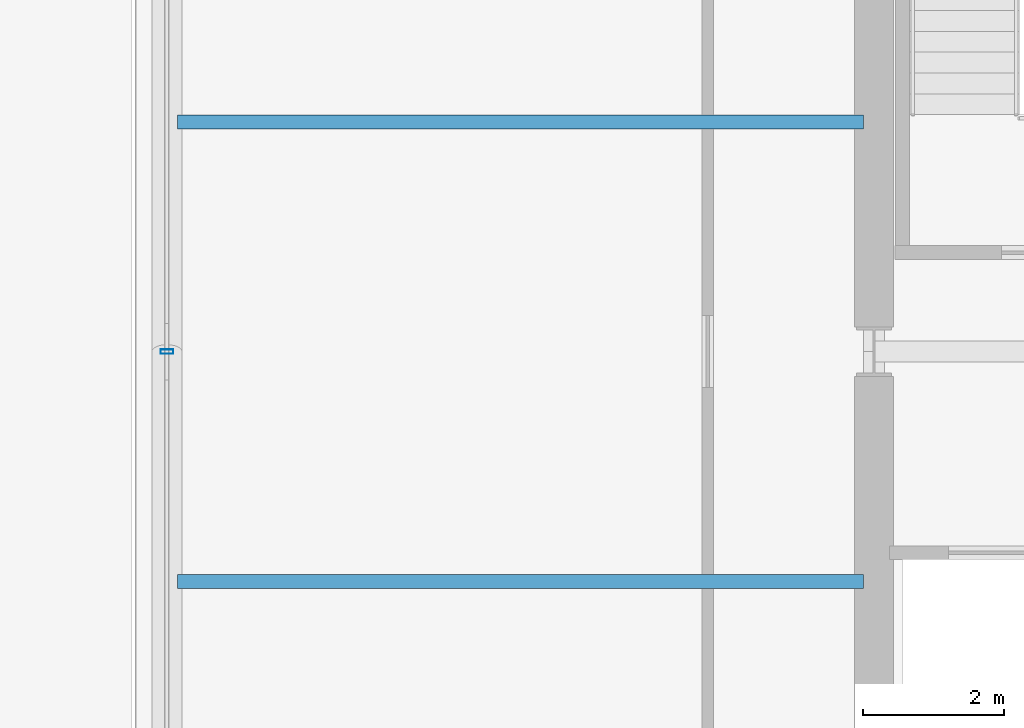
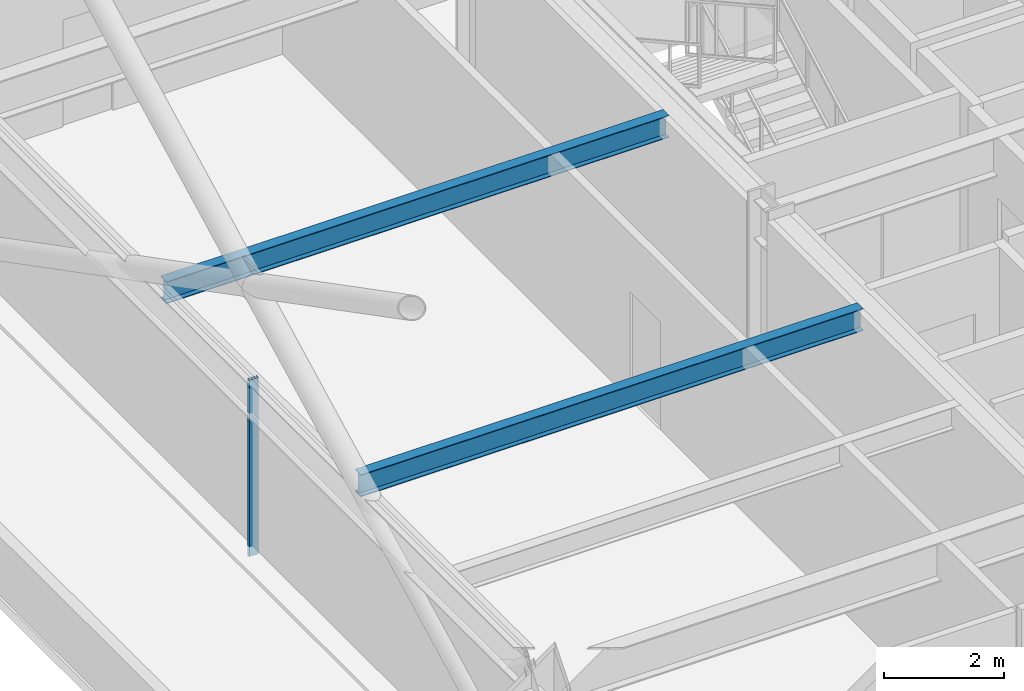
# One storey, part 8 of 33: 2 beams, 1 member, 1 element without a shape of its own.
"""IFC4 building model written with IfcOpenShell, lengths in metres."""

import ifcopenshell
import ifcopenshell.guid

model = None  # the IFC model being written
_history = None  # IfcOwnerHistory: only IFC2X3 demands one
_inside = {}  # id of a spatial element -> (the spatial element, [elements in it])
_under = {}  # id of a project, library or spatial element -> (it, [spatial elements below it])
_declared = {}  # id of a project -> (the project, [libraries it declares])
_typed = {}  # id of a type object -> (the type object, [elements of that type])
_made_of = {}  # id of a material, layer set ... -> (it, [elements and type objects made of it])


def new_model(schema):
    """Start an empty IFC model of exactly this schema.

    Asked for "IFC4X3", IfcOpenShell would pick the latest addendum, in which some entities
    have other attributes; the version numbers below select the first issue.
    IFC2X3 requires an IfcOwnerHistory on every rooted entity: one is made here for all.
    """
    global model, _history
    if schema == "IFC4X3":
        model = ifcopenshell.file(schema_version=(4, 3, 0, 0))
    else:
        model = ifcopenshell.file(schema=schema)
    _inside.clear()
    _under.clear()
    _declared.clear()
    _typed.clear()
    _made_of.clear()
    _history = None
    if model.schema == "IFC2X3":
        org = make("IfcOrganization", Name="unknown")
        user = make(
            "IfcPersonAndOrganization",
            ThePerson=make("IfcPerson", FamilyName="unknown"),
            TheOrganization=org,
        )
        app = make(
            "IfcApplication",
            ApplicationDeveloper=org,
            Version="unknown",
            ApplicationFullName="unknown",
            ApplicationIdentifier="unknown",
        )
        _history = make(
            "IfcOwnerHistory",
            OwningUser=user,
            OwningApplication=app,
            ChangeAction="ADDED",
            CreationDate=0,
        )
    return model


def make(cls, **values):
    """One entity of the class cls with the attributes given. An attribute that is None is left unset."""
    return model.create_entity(
        cls, **{name: value for name, value in values.items() if value is not None}
    )


def rooted(cls, **values):
    """An entity with a GlobalId (a new one), such as an element, a storey or a relation."""
    return make(cls, GlobalId=ifcopenshell.guid.new(), OwnerHistory=_history, **values)


def si_unit(unit_type, name, prefix=None):
    """IfcSIUnit, for example si_unit("LENGTHUNIT", "METRE", prefix="MILLI")."""
    return make("IfcSIUnit", UnitType=unit_type, Prefix=prefix, Name=name)


def assignment(units):
    """IfcUnitAssignment: the units of a project."""
    return None if units is None else make("IfcUnitAssignment", Units=units)


def point(xyz):
    """IfcCartesianPoint."""
    return None if xyz is None else make("IfcCartesianPoint", Coordinates=xyz)


def direction(xyz):
    """IfcDirection."""
    return None if xyz is None else make("IfcDirection", DirectionRatios=xyz)


def frame(location, z_axis=None, x_axis=None):
    """IfcAxis2Placement3D, a coordinate frame: its origin and axes. An axis left out is left unset."""
    return make(
        "IfcAxis2Placement3D",
        Location=point(location),
        Axis=direction(z_axis),
        RefDirection=direction(x_axis),
    )


def frame_2d(location, x_axis=None):
    """IfcAxis2Placement2D, a coordinate frame in the plane: its origin and x axis."""
    return make(
        "IfcAxis2Placement2D", Location=point(location), RefDirection=direction(x_axis)
    )


def origin():
    """The frame at (0, 0, 0) with its axes left unset."""
    return frame((0.0, 0.0, 0.0))


def origin_2d():
    """The frame at (0, 0) in the plane with its x axis left unset."""
    return frame_2d((0.0, 0.0))


def place(relative_to, where):
    """IfcLocalPlacement: puts the frame where relative to a parent placement (None: the world)."""
    return make(
        "IfcLocalPlacement", PlacementRelTo=relative_to, RelativePlacement=where
    )


def context(
    kind, dimensions, precision=None, world=None, true_north=None, identifier=None
):
    """IfcGeometricRepresentationContext, for example the 3D "Model" context."""
    return make(
        "IfcGeometricRepresentationContext",
        ContextIdentifier=identifier,
        ContextType=kind,
        CoordinateSpaceDimension=dimensions,
        Precision=precision,
        WorldCoordinateSystem=world,
        TrueNorth=true_north,
    )


def subcontext(parent, identifier, kind, view, scale=None):
    """IfcGeometricRepresentationSubContext, for example "Body" below "Model"."""
    return make(
        "IfcGeometricRepresentationSubContext",
        ContextIdentifier=identifier,
        ContextType=kind,
        ParentContext=parent,
        TargetScale=scale,
        TargetView=view,
    )


def project(units=None, contexts=None):
    """IfcProject with its units and contexts."""
    return rooted(
        "IfcProject",
        Name="project",
        RepresentationContexts=contexts,
        UnitsInContext=assignment(units),
    )


def spatial(cls, under=None, at=None, **own):
    """A site, building, storey or space (cls), placed at a placement, below another one or the project."""
    s = rooted(cls, ObjectPlacement=at, **own)
    if under is not None:
        _under.setdefault(under.id(), (under, []))[1].append(s)
    return s


def profile(cls, at=None, kind="AREA", **sizes):
    """A parametric profile (cls). Its sizes go by their IFC names, for example OverallWidth=200.0."""
    return make(cls, ProfileType=kind, Position=at, **sizes)


def hollow_rectangle(**sizes):
    """IfcRectangleHollowProfileDef."""
    return profile("IfcRectangleHollowProfileDef", **sizes)


def i_section(**sizes):
    """IfcIShapeProfileDef."""
    return profile("IfcIShapeProfileDef", **sizes)


def extrude(swept, where, along, depth):
    """IfcExtrudedAreaSolid: the profile swept, set in the frame where, extruded along a direction by depth."""
    return make(
        "IfcExtrudedAreaSolid",
        SweptArea=swept,
        Position=where,
        ExtrudedDirection=direction(along),
        Depth=depth,
    )


def shape(context_of_items, identifier, shape_type, items):
    """IfcShapeRepresentation: the items that make up one representation, for example the "Body"."""
    return make(
        "IfcShapeRepresentation",
        ContextOfItems=context_of_items,
        RepresentationIdentifier=identifier,
        RepresentationType=shape_type,
        Items=items,
    )


def material(Name=None, Category=None):
    """IfcMaterial."""
    return make("IfcMaterial", Name=Name, Category=Category)


def layer(
    of_material, thickness, ventilated=None, Name=None, Category=None, Priority=None
):
    """IfcMaterialLayer: one layer of a wall or slab, of a material (None: an air gap)."""
    return make(
        "IfcMaterialLayer",
        Material=of_material,
        LayerThickness=thickness,
        IsVentilated=ventilated,
        Name=Name,
        Category=Category,
        Priority=Priority,
    )


def layer_set(layers, Name=None):
    """IfcMaterialLayerSet."""
    return make("IfcMaterialLayerSet", MaterialLayers=layers, LayerSetName=Name)


def material_profile(
    of_material, cross_section, Name=None, Category=None, Priority=None
):
    """IfcMaterialProfile: a cross section and its material."""
    return make(
        "IfcMaterialProfile",
        Name=Name,
        Material=of_material,
        Profile=cross_section,
        Priority=Priority,
        Category=Category,
    )


def profile_set(profiles, Name=None, composite=None):
    """IfcMaterialProfileSet."""
    return make(
        "IfcMaterialProfileSet",
        Name=Name,
        MaterialProfiles=profiles,
        CompositeProfile=composite,
    )


def made_of(thing, what):
    """Note that an element or type object is made of a material, layer set ...; save() writes the relation."""
    if what is not None:
        _made_of.setdefault(what.id(), (what, []))[1].append(thing)
    return thing


def type_object(cls, material=None, **own):
    """A type object (cls), such as IfcWallType, which elements share."""
    return made_of(rooted(cls, **own), material)


def element(
    cls,
    number,
    at=None,
    inside=None,
    cuts=None,
    type_object=None,
    material=None,
    context=None,
    identifier="Body",
    shape_type=None,
    held_by="IfcProductDefinitionShape",
    body=None,
    shapes=None,
    **own,
):
    """One element of the class cls, such as IfcWall. Its Tag is "e" and its number.

    at: its placement. inside: the storey or other place that contains it. cuts: it is an
    opening in that element (IfcRelVoidsElement). A single representation is given by context,
    identifier, shape_type and body (its items); several are given by shapes. held_by: the class
    of the entity that holds the representations. save() writes the other relations.
    """
    e = rooted(cls, Tag="e%d" % number, ObjectPlacement=at, **own)
    if body is not None:
        shapes = [shape(context, identifier, shape_type, body)]
    if shapes is not None:
        e.Representation = make(held_by, Representations=shapes)
    if inside is not None:
        _inside.setdefault(inside.id(), (inside, []))[1].append(e)
    if cuts is not None:
        rooted(
            "IfcRelVoidsElement", RelatingBuildingElement=cuts, RelatedOpeningElement=e
        )
    if type_object is not None:
        _typed.setdefault(type_object.id(), (type_object, []))[1].append(e)
    return made_of(e, material)


def aggregate(whole, parts):
    """IfcRelAggregates: a whole, such as a stair, and the parts it consists of."""
    return rooted("IfcRelAggregates", RelatingObject=whole, RelatedObjects=parts)


def save(model, path):
    """Write the relations noted so far, then the file.

    IfcRelAggregates (storeys below a building ...), IfcRelContainedInSpatialStructure (elements
    in a storey), IfcRelDefinesByType, IfcRelAssociatesMaterial and IfcRelDeclares: one each for
    every whole, place, type object, material and project.
    """
    for whole, parts in _under.values():
        aggregate(whole, parts)
    for where, things in _inside.values():
        rooted(
            "IfcRelContainedInSpatialStructure",
            RelatedElements=things,
            RelatingStructure=where,
        )
    for kind, things in _typed.values():
        rooted("IfcRelDefinesByType", RelatedObjects=things, RelatingType=kind)
    for what, things in _made_of.values():
        rooted("IfcRelAssociatesMaterial", RelatedObjects=things, RelatingMaterial=what)
    for by, libraries in _declared.values():
        rooted("IfcRelDeclares", RelatingContext=by, RelatedDefinitions=libraries)
    model.write(path)


model = new_model("IFC4")

# Units and contexts
model_context = context("Model", 3, precision=1e-05, world=origin(), true_north=direction((0.0, 1.0)))
body_context = subcontext(model_context, "Body", "Model", "MODEL_VIEW")
ifc_project = project(units=[si_unit("LENGTHUNIT", "METRE"), si_unit("AREAUNIT", "SQUARE_METRE"), si_unit("VOLUMEUNIT", "CUBIC_METRE"), si_unit("PLANEANGLEUNIT", "RADIAN"), si_unit("MASSUNIT", "GRAM", prefix="KILO")], contexts=[model_context])

# Site, building, storey
site_placement = place(None, origin())
site = spatial("IfcSite", under=ifc_project, at=site_placement, CompositionType="ELEMENT")
building_placement = place(site_placement, origin())
building = spatial("IfcBuilding", under=site, at=building_placement, Name="Brelmoor Portico Tower", CompositionType="ELEMENT")
storey_placement = place(building_placement, frame((0.0, 0.0, 24.0)))
storey = spatial("IfcBuildingStorey", under=building, at=storey_placement, Name="L05", CompositionType="ELEMENT", Elevation=24.0)

# Beams
ifc_material_1 = material(Name="Steel Q355B", Category="steel")
ifc_material_profile_1 = material_profile(ifc_material_1, i_section(OverallWidth=0.199951171875, OverallDepth=0.449951171875, WebThickness=0.009033203125, FlangeThickness=0.013916015625, at=origin_2d()), Name="HN 450x200x9x14")
ifc_profile_set_1 = profile_set([ifc_material_profile_1], Name="Steel Q355B")
beam_type = type_object("IfcBeamType", Name="BM-JS-450", PredefinedType="JOIST", material=ifc_profile_set_1)
for number, where, z_axis, x_axis, name in (
    (1, (-24.39990234375, -3.25, 3.175048828125), (1.0, 0.0, 0.0), (0.0, 1.0, 0.0), "L05 Secondary Wing Joist JS-W06"),
    (2, (-24.39990234375, 3.25, 3.175048828125), (1.0, 0.0, 0.0), (0.0, 1.0, 0.0), "L05 Secondary Wing Joist JS-W07"),
):
    element("IfcBeam", number, at=place(storey_placement, frame(where, z_axis=z_axis, x_axis=x_axis)), inside=storey, type_object=beam_type, Name=name, PredefinedType="JOIST", context=body_context, shape_type="SweptSolid", body=[
        extrude(i_section(OverallWidth=0.199951171875, OverallDepth=0.449951171875, WebThickness=0.009033203125, FlangeThickness=0.013916015625, at=origin_2d()), origin(), (0.0, 0.0, 1.0), 9.699951171875),
    ])

# Curtain wall, member
ifc_material_2 = material(Name="Anodised Aluminium Alloy 6063-T6", Category="aluminium")
ifc_layer = layer(ifc_material_2, 0.179931640625)
ifc_layer_set = layer_set([ifc_layer], Name="Anodised Aluminium Alloy 6063-T6")
curtain_wall_type = type_object("IfcCurtainWallType", Name="CW-TOWER-Z1-XB", PredefinedType="NOTDEFINED", material=ifc_layer_set)
curtain_wall_placement = place(storey_placement, origin())
curtain_wall = element("IfcCurtainWall", 3, at=curtain_wall_placement, inside=storey, type_object=curtain_wall_type, Name="L05 Curtain Wall CW-L05-03-2", PredefinedType="NOTDEFINED")
ifc_material_profile_2 = material_profile(ifc_material_2, hollow_rectangle(XDim=0.06494140625, YDim=0.179931640625, WallThickness=0.00390625, at=origin_2d()), Name="ALU MULLION 65x180")
ifc_profile_set_2 = profile_set([ifc_material_profile_2], Name="Anodised Aluminium Alloy 6063-T6")
member_type = type_object("IfcMemberType", Name="MB-CW-MULL-180", PredefinedType="MULLION", material=ifc_profile_set_2)
member_placement = place(storey_placement, frame((-24.550048828125, 0.0, -0.199951171875), z_axis=(0.0, 0.0, 1.0), x_axis=(0.0, 1.0, 0.0)))
member = element("IfcMember", 4, at=member_placement, type_object=member_type, Name="CW-L05-03-2 Mullion 01", PredefinedType="MULLION", context=body_context, shape_type="SweptSolid", body=[
    extrude(hollow_rectangle(XDim=0.06494140625, YDim=0.179931640625, WallThickness=0.00390625, at=origin_2d()), origin(), (0.0, 0.0, 1.0), 3.599853515625),
])
aggregate(curtain_wall, [member])

save(model, "model.ifc")
